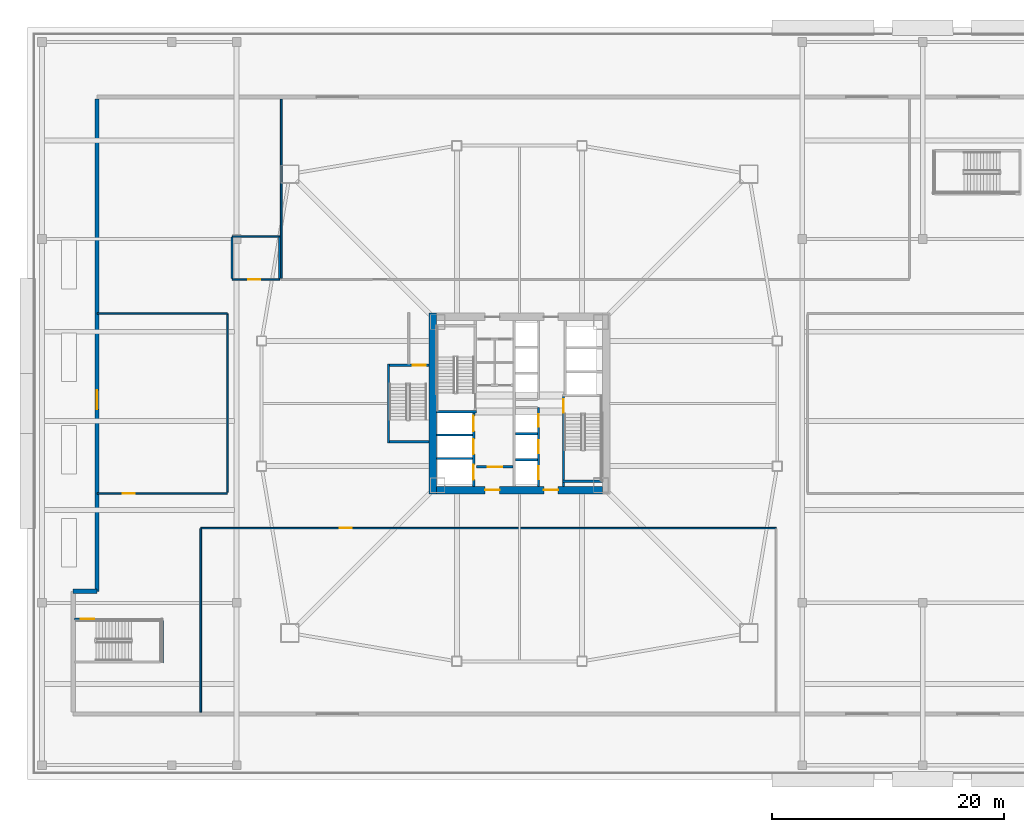
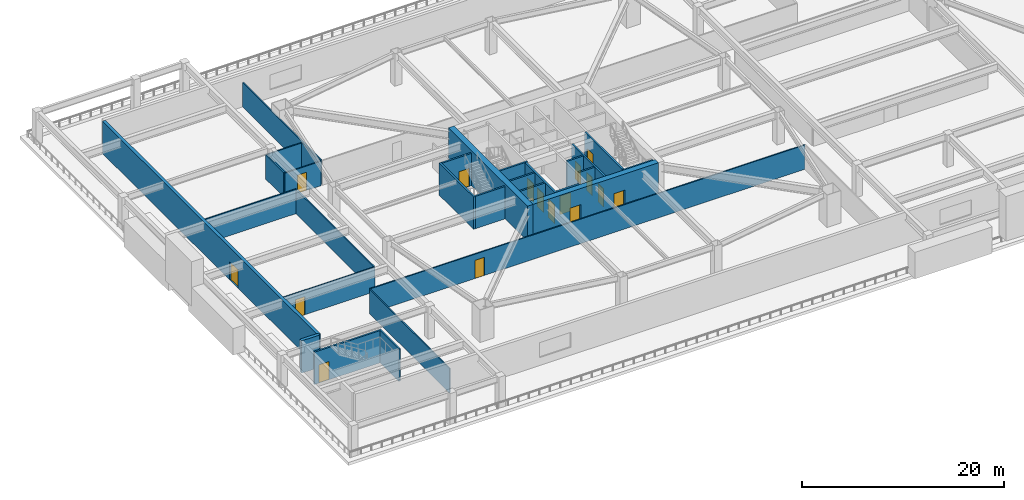
# One storey, part 5 of 20: 29 walls, 16 doors, 16 openings.
"""IFC4 building model written with IfcOpenShell, lengths in metres."""

from ifc_helpers import new_model, si_unit, direction, frame, frame_2d, origin, place, context, subcontext, project, spatial, rectangle, extrude, material, layer, layer_set, type_object, element, fill, save


model = new_model("IFC4")

# Units and contexts
model_context = context("Model", 3, precision=1e-05, world=origin(), true_north=direction((0.0, 1.0)))
body_context = subcontext(model_context, "Body", "Model", "MODEL_VIEW")
ifc_project = project(units=[si_unit("LENGTHUNIT", "METRE"), si_unit("AREAUNIT", "SQUARE_METRE"), si_unit("VOLUMEUNIT", "CUBIC_METRE"), si_unit("PLANEANGLEUNIT", "RADIAN"), si_unit("MASSUNIT", "GRAM", prefix="KILO")], contexts=[model_context])

# Site, building, storey
site_placement = place(None, origin())
site = spatial("IfcSite", under=ifc_project, at=site_placement, CompositionType="ELEMENT")
building_placement = place(site_placement, origin())
building = spatial("IfcBuilding", under=site, at=building_placement, Name="Tashvorn Skyway Center", CompositionType="ELEMENT")
storey_placement = place(building_placement, frame((0.0, 0.0, 15.60009765625)))
storey = spatial("IfcBuildingStorey", under=building, at=storey_placement, Name="L03", CompositionType="ELEMENT", Elevation=15.60009765625)

# Wall
ifc_material_1 = material(Name="Concrete C60/75", Category="concrete")
ifc_layer_1 = layer(ifc_material_1, 0.64990234375)
ifc_layer_set_1 = layer_set([ifc_layer_1], Name="Concrete C60/75")
wall_type_1 = type_object("IfcWallType", Name="WALL-CORE-650", PredefinedType="SHEAR", material=ifc_layer_set_1)
wall_1_placement = place(storey_placement, frame((34.52490234375, 24.199951171875, 0.0), z_axis=(0.0, 0.0, 1.0), x_axis=(0.0, 1.0, 0.0)))
element("IfcWall", 1, at=wall_1_placement, inside=storey, type_object=wall_type_1, Name="Tower 1 L03 West Core Shear Wall", PredefinedType="SHEAR", context=body_context, shape_type="SweptSolid", body=[
    extrude(rectangle(XDim=15.60009765625, YDim=0.64990234375, at=frame_2d((7.800048828125, 0.0))), origin(), (0.0, 0.0, 1.0), 4.199951171875),
])

# Wall, openings, doors
wall_2_placement = place(storey_placement, frame((49.14990234375, 24.52490234375, 0.0), z_axis=(0.0, 0.0, 1.0), x_axis=(-1.0, 0.0, 0.0)))
wall_2 = element("IfcWall", 2, at=wall_2_placement, inside=storey, type_object=wall_type_1, Name="Tower 1 L03 South Core Shear Wall", PredefinedType="SHEAR", context=body_context, shape_type="SweptSolid", body=[
    extrude(rectangle(XDim=14.2998046875, YDim=0.64990234375, at=frame_2d((7.14990234375, 0.0))), origin(), (0.0, 0.0, 1.0), 4.199951171875),
])
opening_1_placement = place(wall_2_placement, frame((8.85009765625, 0.0, 0.0)))
opening_1 = element("IfcOpeningElement", 3, at=opening_1_placement, cuts=wall_2, Name="Opening D-FFL-1250", PredefinedType="OPENING", context=body_context, shape_type="SweptSolid", body=[
    extrude(rectangle(XDim=1.25, YDim=2.25, at=frame_2d((0.625, 1.125))), frame((0.0, 0.3349609375, 0.0), z_axis=(0.0, -1.0, 0.0), x_axis=(1.0, 0.0, 0.0)), (0.0, 0.0, 1.0), 0.669921875),
])
opening_2_placement = place(wall_2_placement, frame((3.800048828125, 0.0, 0.0)))
opening_2 = element("IfcOpeningElement", 4, at=opening_2_placement, cuts=wall_2, Name="Opening D-FFL-1250", PredefinedType="OPENING", context=body_context, shape_type="SweptSolid", body=[
    extrude(rectangle(XDim=1.25, YDim=2.25, at=frame_2d((0.625, 1.125))), frame((0.0, 0.3349609375, 0.0), z_axis=(0.0, -1.0, 0.0), x_axis=(1.0, 0.0, 0.0)), (0.0, 0.0, 1.0), 0.669921875),
])
ifc_material_2 = material(Name="Hollow galvanized steel fire door assembly", Category="steel")
door_type_1 = type_object("IfcDoorType", Name="DOOR-FFL-1250", OperationType="NOTDEFINED", PredefinedType="DOOR", material=ifc_material_2)
door_1_placement = place(opening_1_placement, origin())
door_1 = element("IfcDoor", 5, at=door_1_placement, inside=storey, type_object=door_type_1, Name="Tower 1 L03 Core South Firefighting Exit Door", OperationType="SINGLE_SWING_LEFT", OverallHeight=2.25, OverallWidth=1.25, PredefinedType="DOOR", context=body_context, shape_type="SweptSolid", body=[
    extrude(rectangle(XDim=1.25, YDim=2.25, at=frame_2d((0.625, 1.125))), frame((0.0, 0.02490234375, 0.0), z_axis=(0.0, -1.0, 0.0), x_axis=(1.0, 0.0, 0.0)), (0.0, 0.0, 1.0), 0.050048828125),
])
fill(opening_1, door_1)
door_2_placement = place(opening_2_placement, origin())
door_2 = element("IfcDoor", 6, at=door_2_placement, inside=storey, type_object=door_type_1, Name="Tower 1 L03 Core South Lift Lobby Door", OperationType="SINGLE_SWING_RIGHT", OverallHeight=2.25, OverallWidth=1.25, PredefinedType="DOOR", context=body_context, shape_type="SweptSolid", body=[
    extrude(rectangle(XDim=1.25, YDim=2.25, at=frame_2d((0.625, 1.125))), frame((0.0, 0.02490234375, 0.0), z_axis=(0.0, -1.0, 0.0), x_axis=(1.0, 0.0, 0.0)), (0.0, 0.0, 1.0), 0.050048828125),
])
fill(opening_2, door_2)

# Wall
ifc_material_3 = material(Name="Precast concrete C40/50", Category="concrete")
ifc_layer_2 = layer(ifc_material_3, 0.35009765625)
ifc_layer_set_2 = layer_set([ifc_layer_2], Name="Precast concrete C40/50")
wall_type_2 = type_object("IfcWallType", Name="WALL-EXT-350", PredefinedType="SOLIDWALL", material=ifc_layer_set_2)
wall_3_placement = place(storey_placement, frame((3.5, 15.800048828125, 0.0), z_axis=(0.0, 0.0, 1.0), x_axis=(1.0, 0.0, 0.0)))
element("IfcWall", 7, at=wall_3_placement, inside=storey, type_object=wall_type_2, Name="L03 Stair Pavilion North Step Wall", PredefinedType="SOLIDWALL", context=body_context, shape_type="SweptSolid", body=[
    extrude(rectangle(XDim=2.050048828125, YDim=0.35009765625, at=frame_2d((1.02490234375, 0.0))), origin(), (0.0, 0.0, 1.0), 3.89990234375),
])

# Wall, opening, door
wall_4_placement = place(storey_placement, frame((5.550048828125, 15.800048828125, 0.0), z_axis=(0.0, 0.0, 1.0), x_axis=(0.0, 1.0, 0.0)))
wall_4 = element("IfcWall", 8, at=wall_4_placement, inside=storey, type_object=wall_type_2, Name="L03 Stepped West Postmodern Facade Wall", PredefinedType="SOLIDWALL", context=body_context, shape_type="SweptSolid", body=[
    extrude(rectangle(XDim=42.474853515625, YDim=0.35009765625, at=frame_2d((21.2373046875, 0.0))), origin(), (0.0, 0.0, 1.0), 3.89990234375),
])
opening_3_placement = place(wall_4_placement, frame((15.699951171875, 0.0, 0.0)))
opening_3 = element("IfcOpeningElement", 9, at=opening_3_placement, cuts=wall_4, Name="Opening D-TER-1650", PredefinedType="OPENING", context=body_context, shape_type="SweptSolid", body=[
    extrude(rectangle(XDim=1.64990234375, YDim=2.199951171875, at=frame_2d((0.824951171875, 1.10009765625))), frame((0.0, 0.18505859375, 0.0), z_axis=(0.0, -1.0, 0.0), x_axis=(1.0, 0.0, 0.0)), (0.0, 0.0, 1.0), 0.3701171875),
])
ifc_material_4 = material(Name="Thermally broken bronze-anodized aluminium 6063-T6", Category="aluminium")
door_type_2 = type_object("IfcDoorType", Name="DOOR-TERR-1650", OperationType="DOUBLE_DOOR_SINGLE_SWING", PredefinedType="DOOR", material=ifc_material_4)
door_3_placement = place(opening_3_placement, origin())
door_3 = element("IfcDoor", 10, at=door_3_placement, inside=storey, type_object=door_type_2, Name="L03 Stepped Colonnade Terrace Access Door", OperationType="DOUBLE_DOOR_SINGLE_SWING", OverallHeight=2.199951171875, OverallWidth=1.64990234375, PredefinedType="DOOR", context=body_context, shape_type="SweptSolid", body=[
    extrude(rectangle(XDim=1.64990234375, YDim=2.199951171875, at=frame_2d((0.824951171875, 1.10009765625))), frame((0.0, 0.02490234375, 0.0), z_axis=(0.0, -1.0, 0.0), x_axis=(1.0, 0.0, 0.0)), (0.0, 0.0, 1.0), 0.050048828125),
])
fill(opening_3, door_3)

ifc_material_5 = material(Name="Concrete C40/50", Category="concrete")
ifc_layer_3 = layer(ifc_material_5, 0.219970703125)
ifc_layer_set_3 = layer_set([ifc_layer_3], Name="Concrete C40/50")
wall_type_3 = type_object("IfcWallType", Name="WALL-FFL-220", PredefinedType="SOLIDWALL", material=ifc_layer_set_3)
wall_5_placement = place(storey_placement, frame((38.300048828125, 26.5400390625, 0.0), z_axis=(0.0, 0.0, 1.0), x_axis=(1.0, 0.0, 0.0)))
wall_5 = element("IfcWall", 11, at=wall_5_placement, inside=storey, type_object=wall_type_3, Name="Tower 1 L03 Firefighting Lobby South Wall", PredefinedType="SOLIDWALL", context=body_context, shape_type="SweptSolid", body=[
    extrude(rectangle(XDim=3.14990234375, YDim=0.219970703125, at=frame_2d((1.574951171875, 0.0))), origin(), (0.0, 0.0, 1.0), 2.94287109375),
])
opening_4_placement = place(wall_5_placement, frame((0.949951171875, 0.0, 0.0)))
opening_4 = element("IfcOpeningElement", 12, at=opening_4_placement, cuts=wall_5, Name="Opening D-FFL-1250", PredefinedType="OPENING", context=body_context, shape_type="SweptSolid", body=[
    extrude(rectangle(XDim=1.25, YDim=2.25, at=frame_2d((0.625, 1.125))), frame((0.0, 0.119873046875, 0.0), z_axis=(0.0, -1.0, 0.0), x_axis=(1.0, 0.0, 0.0)), (0.0, 0.0, 1.0), 0.239990234375),
])
door_4_placement = place(opening_4_placement, origin())
door_4 = element("IfcDoor", 13, at=door_4_placement, inside=storey, type_object=door_type_1, Name="Tower 1 L03 Firefighting Lobby Egress Door", OperationType="SINGLE_SWING_LEFT", OverallHeight=2.25, OverallWidth=1.25, PredefinedType="DOOR", context=body_context, shape_type="SweptSolid", body=[
    extrude(rectangle(XDim=1.25, YDim=2.25, at=frame_2d((0.625, 1.125))), frame((0.0, 0.02490234375, 0.0), z_axis=(0.0, -1.0, 0.0), x_axis=(1.0, 0.0, 0.0)), (0.0, 0.0, 1.0), 0.050048828125),
])
fill(opening_4, door_4)

ifc_material_6 = material(Name="Gypsum board on cold-formed steel stud framing", Category="steel")
ifc_layer_4 = layer(ifc_material_6, 0.135009765625)
ifc_layer_set_4 = layer_set([ifc_layer_4], Name="Gypsum board on cold-formed steel stud framing")
wall_type_4 = type_object("IfcWallType", Name="WALL-PART-135", PredefinedType="PARTITIONING", material=ifc_layer_set_4)
wall_6_placement = place(storey_placement, frame((5.550048828125, 24.25, 0.0), z_axis=(0.0, 0.0, 1.0), x_axis=(1.0, 0.0, 0.0)))
wall_6 = element("IfcWall", 14, at=wall_6_placement, inside=storey, type_object=wall_type_4, Name="L03 West Suite South Wall", PredefinedType="PARTITIONING", context=body_context, shape_type="SweptSolid", body=[
    extrude(rectangle(XDim=11.25, YDim=0.135009765625, at=frame_2d((5.625, 0.0))), origin(), (0.0, 0.0, 1.0), 2.94287109375),
])
opening_5_placement = place(wall_6_placement, frame((2.199951171875, 0.0, 0.0)))
opening_5 = element("IfcOpeningElement", 15, at=opening_5_placement, cuts=wall_6, Name="Opening D-ACC-1050", PredefinedType="OPENING", context=body_context, shape_type="SweptSolid", body=[
    extrude(rectangle(XDim=1.050048828125, YDim=2.199951171875, at=frame_2d((0.52490234375, 1.10009765625))), frame((0.0, 0.077392578125, 0.0), z_axis=(0.0, -1.0, 0.0), x_axis=(1.0, 0.0, 0.0)), (0.0, 0.0, 1.0), 0.155029296875),
])
ifc_material_7 = material(Name="Solid-core architectural oak veneer door")
door_type_3 = type_object("IfcDoorType", Name="DOOR-ACC-1050", OperationType="NOTDEFINED", PredefinedType="DOOR", material=ifc_material_7)
door_5_placement = place(opening_5_placement, origin())
door_5 = element("IfcDoor", 16, at=door_5_placement, inside=storey, type_object=door_type_3, Name="L03 Innovation Workshop Studio Door", OperationType="SINGLE_SWING_LEFT", OverallHeight=2.199951171875, OverallWidth=1.050048828125, PredefinedType="DOOR", context=body_context, shape_type="SweptSolid", body=[
    extrude(rectangle(XDim=1.050048828125, YDim=2.199951171875, at=frame_2d((0.52490234375, 1.10009765625))), frame((0.0, 0.02490234375, 0.0), z_axis=(0.0, -1.0, 0.0), x_axis=(1.0, 0.0, 0.0)), (0.0, 0.0, 1.0), 0.050048828125),
])
fill(opening_5, door_5)

# Walls
wall_7_placement = place(storey_placement, frame((16.800048828125, 24.35009765625, 0.0), z_axis=(0.0, 0.0, 1.0), x_axis=(0.0, 1.0, 0.0)))
element("IfcWall", 17, at=wall_7_placement, inside=storey, type_object=wall_type_4, Name="L03 West Suite East Wall", PredefinedType="PARTITIONING", context=body_context, shape_type="SweptSolid", body=[
    extrude(rectangle(XDim=15.39990234375, YDim=0.135009765625, at=frame_2d((7.699951171875, 0.0))), origin(), (0.0, 0.0, 1.0), 2.94287109375),
])
wall_8_placement = place(storey_placement, frame((5.550048828125, 39.780029296875, 0.0), z_axis=(0.0, 0.0, 1.0), x_axis=(1.0, 0.0, 0.0)))
element("IfcWall", 18, at=wall_8_placement, inside=storey, type_object=wall_type_4, Name="L03 West Suite North Wall", PredefinedType="PARTITIONING", context=body_context, shape_type="SweptSolid", body=[
    extrude(rectangle(XDim=11.25, YDim=0.135009765625, at=frame_2d((5.625, 0.0))), origin(), (0.0, 0.0, 1.0), 2.94287109375),
])
wall_9_placement = place(storey_placement, frame((21.449951171875, 42.800048828125, 0.0), z_axis=(0.0, 0.0, 1.0), x_axis=(0.0, 1.0, 0.0)))
element("IfcWall", 19, at=wall_9_placement, inside=storey, type_object=wall_type_4, Name="L03 North Suite West Wall", PredefinedType="PARTITIONING", context=body_context, shape_type="SweptSolid", body=[
    extrude(rectangle(XDim=15.469970703125, YDim=0.135009765625, at=frame_2d((7.73486328125, 0.0))), origin(), (0.0, 0.0, 1.0), 2.94287109375),
])

# Wall, opening, door
wall_10_placement = place(storey_placement, frame((14.5, 21.25, 0.0), z_axis=(0.0, 0.0, 1.0), x_axis=(1.0, 0.0, 0.0)))
wall_10 = element("IfcWall", 20, at=wall_10_placement, inside=storey, type_object=wall_type_4, Name="L03 South Suite Wall", PredefinedType="PARTITIONING", context=body_context, shape_type="SweptSolid", body=[
    extrude(rectangle(XDim=49.64990234375, YDim=0.135009765625, at=frame_2d((24.824951171875, 0.0))), origin(), (0.0, 0.0, 1.0), 2.94287109375),
])
opening_6_placement = place(wall_10_placement, frame((12.0, 0.0, 0.0)))
opening_6 = element("IfcOpeningElement", 21, at=opening_6_placement, cuts=wall_10, Name="Opening D-ACC-1050", PredefinedType="OPENING", context=body_context, shape_type="SweptSolid", body=[
    extrude(rectangle(XDim=1.050048828125, YDim=2.199951171875, at=frame_2d((0.52490234375, 1.10009765625))), frame((0.0, 0.077392578125, 0.0), z_axis=(0.0, -1.0, 0.0), x_axis=(1.0, 0.0, 0.0)), (0.0, 0.0, 1.0), 0.155029296875),
])
door_6_placement = place(opening_6_placement, origin())
door_6 = element("IfcDoor", 22, at=door_6_placement, inside=storey, type_object=door_type_3, Name="L03 Transit Operations Suite Door", OperationType="SINGLE_SWING_LEFT", OverallHeight=2.199951171875, OverallWidth=1.050048828125, PredefinedType="DOOR", context=body_context, shape_type="SweptSolid", body=[
    extrude(rectangle(XDim=1.050048828125, YDim=2.199951171875, at=frame_2d((0.52490234375, 1.10009765625))), frame((0.0, 0.02490234375, 0.0), z_axis=(0.0, -1.0, 0.0), x_axis=(1.0, 0.0, 0.0)), (0.0, 0.0, 1.0), 0.050048828125),
])
fill(opening_6, door_6)

# Wall
wall_11_placement = place(storey_placement, frame((14.5, 5.3798828125, 0.0), z_axis=(0.0, 0.0, 1.0), x_axis=(0.0, 1.0, 0.0)))
element("IfcWall", 23, at=wall_11_placement, inside=storey, type_object=wall_type_4, Name="L03 South Suite West Wall", PredefinedType="PARTITIONING", context=body_context, shape_type="SweptSolid", body=[
    extrude(rectangle(XDim=15.820068359375, YDim=0.135009765625, at=frame_2d((7.91015625, 0.0))), origin(), (0.0, 0.0, 1.0), 2.94287109375),
])

# Wall, opening, door
wall_12_placement = place(storey_placement, frame((17.199951171875, 42.719970703125, 0.0), z_axis=(0.0, 0.0, 1.0), x_axis=(1.0, 0.0, 0.0)))
wall_12 = element("IfcWall", 24, at=wall_12_placement, inside=storey, type_object=wall_type_4, Name="L03 Restroom South Wall", PredefinedType="PARTITIONING", context=body_context, shape_type="SweptSolid", body=[
    extrude(rectangle(XDim=4.10009765625, YDim=0.135009765625, at=frame_2d((2.050048828125, 0.0))), origin(), (0.0, 0.0, 1.0), 2.94287109375),
])
opening_7_placement = place(wall_12_placement, frame((1.39990234375, 0.0, 0.0)))
opening_7 = element("IfcOpeningElement", 25, at=opening_7_placement, cuts=wall_12, Name="Opening D-ACC-1050", PredefinedType="OPENING", context=body_context, shape_type="SweptSolid", body=[
    extrude(rectangle(XDim=1.050048828125, YDim=2.199951171875, at=frame_2d((0.52490234375, 1.10009765625))), frame((0.0, 0.077392578125, 0.0), z_axis=(0.0, -1.0, 0.0), x_axis=(1.0, 0.0, 0.0)), (0.0, 0.0, 1.0), 0.155029296875),
])
door_7_placement = place(opening_7_placement, origin())
door_7 = element("IfcDoor", 26, at=door_7_placement, inside=storey, type_object=door_type_3, Name="L03 Accessible Restroom Door", OperationType="SINGLE_SWING_LEFT", OverallHeight=2.199951171875, OverallWidth=1.050048828125, PredefinedType="DOOR", context=body_context, shape_type="SweptSolid", body=[
    extrude(rectangle(XDim=1.050048828125, YDim=2.199951171875, at=frame_2d((0.52490234375, 1.10009765625))), frame((0.0, 0.02490234375, 0.0), z_axis=(0.0, -1.0, 0.0), x_axis=(1.0, 0.0, 0.0)), (0.0, 0.0, 1.0), 0.050048828125),
])
fill(opening_7, door_7)

# Walls
wall_13_placement = place(storey_placement, frame((17.199951171875, 46.39990234375, 0.0), z_axis=(0.0, 0.0, 1.0), x_axis=(1.0, 0.0, 0.0)))
element("IfcWall", 27, at=wall_13_placement, inside=storey, type_object=wall_type_4, Name="L03 Restroom North Wall", PredefinedType="PARTITIONING", context=body_context, shape_type="SweptSolid", body=[
    extrude(rectangle(XDim=4.10009765625, YDim=0.135009765625, at=frame_2d((2.050048828125, 0.0))), origin(), (0.0, 0.0, 1.0), 2.94287109375),
])
for number, where, z_axis, x_axis, name in (
    (28, (17.199951171875, 42.800048828125, 0.0), (0.0, 0.0, 1.0), (0.0, 1.0, 0.0), "L03 Restroom West Wall"),
    (29, (21.300048828125, 42.800048828125, 0.0), (0.0, 0.0, 1.0), (0.0, 1.0, 0.0), "L03 Restroom East Wall"),
):
    element("IfcWall", number, at=place(storey_placement, frame(where, z_axis=z_axis, x_axis=x_axis)), inside=storey, type_object=wall_type_4, Name=name, PredefinedType="PARTITIONING", context=body_context, shape_type="SweptSolid", body=[
        extrude(rectangle(XDim=3.550048828125, YDim=0.135009765625, at=frame_2d((1.77490234375, 0.0))), origin(), (0.0, 0.0, 1.0), 2.94287109375),
    ])
ifc_layer_5 = layer(ifc_material_5, 0.199951171875)
ifc_layer_set_5 = layer_set([ifc_layer_5], Name="Concrete C40/50")
wall_type_5 = type_object("IfcWallType", Name="WALL-SHAFT-200", PredefinedType="SOLIDWALL", material=ifc_layer_set_5)
for number, where, z_axis, x_axis, name in (
    (30, (34.85009765625, 27.25, 0.0), (0.0, 0.0, 1.0), (1.0, 0.0, 0.0), "Tower 1 L03 FSAE Shaft Divider"),
    (31, (34.85009765625, 29.280029296875, 0.0), (0.0, 0.0, 1.0), (1.0, 0.0, 0.0), "Tower 1 L03 FSAE Shaft Divider"),
):
    element("IfcWall", number, at=place(storey_placement, frame(where, z_axis=z_axis, x_axis=x_axis)), inside=storey, type_object=wall_type_5, Name=name, PredefinedType="SOLIDWALL", context=body_context, shape_type="SweptSolid", body=[
        extrude(rectangle(XDim=3.099853515625, YDim=0.199951171875, at=frame_2d((1.5498046875, 0.0))), origin(), (0.0, 0.0, 1.0), 3.89990234375),
    ])

# Wall, openings, doors
wall_14_placement = place(storey_placement, frame((43.64990234375, 24.85009765625, 0.0), z_axis=(0.0, 0.0, 1.0), x_axis=(0.0, 1.0, 0.0)))
wall_14 = element("IfcWall", 32, at=wall_14_placement, inside=storey, type_object=wall_type_5, Name="Tower 1 L03 Low-Rise Core Wall", PredefinedType="SOLIDWALL", context=body_context, shape_type="SweptSolid", body=[
    extrude(rectangle(XDim=6.7998046875, YDim=0.199951171875, at=frame_2d((3.39990234375, 0.0))), origin(), (0.0, 0.0, 1.0), 3.89990234375),
])
opening_8_placement = place(wall_14_placement, frame((0.625, 0.0, 0.0)))
opening_8 = element("IfcOpeningElement", 33, at=opening_8_placement, cuts=wall_14, Name="Opening LD-LR-T1-1-L03", PredefinedType="OPENING", context=body_context, shape_type="SweptSolid", body=[
    extrude(rectangle(XDim=1.10009765625, YDim=2.199951171875, at=frame_2d((0.550048828125, 1.10009765625))), frame((0.0, 0.10986328125, 0.0), z_axis=(0.0, -1.0, 0.0), x_axis=(1.0, 0.0, 0.0)), (0.0, 0.0, 1.0), 0.219970703125),
])
opening_9_placement = place(wall_14_placement, frame((2.875, 0.0, 0.0)))
opening_9 = element("IfcOpeningElement", 34, at=opening_9_placement, cuts=wall_14, Name="Opening LD-LR-T1-2-L03", PredefinedType="OPENING", context=body_context, shape_type="SweptSolid", body=[
    extrude(rectangle(XDim=1.10009765625, YDim=2.199951171875, at=frame_2d((0.550048828125, 1.10009765625))), frame((0.0, 0.10986328125, 0.0), z_axis=(0.0, -1.0, 0.0), x_axis=(1.0, 0.0, 0.0)), (0.0, 0.0, 1.0), 0.219970703125),
])
opening_10_placement = place(wall_14_placement, frame((5.125, 0.0, 0.0)))
opening_10 = element("IfcOpeningElement", 35, at=opening_10_placement, cuts=wall_14, Name="Opening LD-LR-T1-3-L03", PredefinedType="OPENING", context=body_context, shape_type="SweptSolid", body=[
    extrude(rectangle(XDim=1.10009765625, YDim=2.199951171875, at=frame_2d((0.550048828125, 1.10009765625))), frame((0.0, 0.10986328125, 0.0), z_axis=(0.0, -1.0, 0.0), x_axis=(1.0, 0.0, 0.0)), (0.0, 0.0, 1.0), 0.219970703125),
])
ifc_material_8 = material(Name="Stainless steel landing door", Category="steel")
door_type_4 = type_object("IfcDoorType", Name="DOOR-LIFT-1100", OperationType="SLIDING_TO_LEFT", PredefinedType="DOOR", material=ifc_material_8)
door_8_placement = place(opening_8_placement, origin())
door_8 = element("IfcDoor", 36, at=door_8_placement, inside=storey, type_object=door_type_4, Name="Lift LR-T1-1 L03 Landing Door", OperationType="SLIDING_TO_LEFT", OverallHeight=2.199951171875, OverallWidth=1.10009765625, PredefinedType="DOOR", context=body_context, shape_type="SweptSolid", body=[
    extrude(rectangle(XDim=1.10009765625, YDim=2.199951171875, at=frame_2d((0.550048828125, 1.10009765625))), frame((0.0, 0.02490234375, 0.0), z_axis=(0.0, -1.0, 0.0), x_axis=(1.0, 0.0, 0.0)), (0.0, 0.0, 1.0), 0.050048828125),
])
fill(opening_8, door_8)
door_9_placement = place(opening_9_placement, origin())
door_9 = element("IfcDoor", 37, at=door_9_placement, inside=storey, type_object=door_type_4, Name="Lift LR-T1-2 L03 Landing Door", OperationType="SLIDING_TO_LEFT", OverallHeight=2.199951171875, OverallWidth=1.10009765625, PredefinedType="DOOR", context=body_context, shape_type="SweptSolid", body=[
    extrude(rectangle(XDim=1.10009765625, YDim=2.199951171875, at=frame_2d((0.550048828125, 1.10009765625))), frame((0.0, 0.02490234375, 0.0), z_axis=(0.0, -1.0, 0.0), x_axis=(1.0, 0.0, 0.0)), (0.0, 0.0, 1.0), 0.050048828125),
])
fill(opening_9, door_9)
door_10_placement = place(opening_10_placement, origin())
door_10 = element("IfcDoor", 38, at=door_10_placement, inside=storey, type_object=door_type_4, Name="Lift LR-T1-3 L03 Landing Door", OperationType="SLIDING_TO_LEFT", OverallHeight=2.199951171875, OverallWidth=1.10009765625, PredefinedType="DOOR", context=body_context, shape_type="SweptSolid", body=[
    extrude(rectangle(XDim=1.10009765625, YDim=2.199951171875, at=frame_2d((0.550048828125, 1.10009765625))), frame((0.0, 0.02490234375, 0.0), z_axis=(0.0, -1.0, 0.0), x_axis=(1.0, 0.0, 0.0)), (0.0, 0.0, 1.0), 0.050048828125),
])
fill(opening_10, door_10)

# Walls
for number, where, z_axis, x_axis, name in (
    (39, (41.669921875, 27.14990234375, 0.0), (0.0, 0.0, 1.0), (1.0, 0.0, 0.0), "Tower 1 L03 Low-Rise Shaft Divider"),
    (40, (41.669921875, 29.39990234375, 0.0), (0.0, 0.0, 1.0), (1.0, 0.0, 0.0), "Tower 1 L03 Low-Rise Shaft Divider"),
):
    element("IfcWall", number, at=place(storey_placement, frame(where, z_axis=z_axis, x_axis=x_axis)), inside=storey, type_object=wall_type_5, Name=name, PredefinedType="SOLIDWALL", context=body_context, shape_type="SweptSolid", body=[
        extrude(rectangle(XDim=1.880126953125, YDim=0.199951171875, at=frame_2d((0.93994140625, 0.0))), origin(), (0.0, 0.0, 1.0), 3.89990234375),
    ])
ifc_layer_6 = layer(ifc_material_5, 0.199951171875)
ifc_layer_set_6 = layer_set([ifc_layer_6], Name="Concrete C40/50")
wall_type_6 = type_object("IfcWallType", Name="WALL-STSHF-200", PredefinedType="SHEAR", material=ifc_layer_set_6)
wall_15_placement = place(storey_placement, frame((34.85009765625, 31.300048828125, 0.0), z_axis=(0.0, 0.0, 1.0), x_axis=(1.0, 0.0, 0.0)))
element("IfcWall", 41, at=wall_15_placement, inside=storey, type_object=wall_type_6, Name="Tower 1 L03 Stair 1 South Wall", PredefinedType="SHEAR", context=body_context, shape_type="SweptSolid", body=[
    extrude(rectangle(XDim=3.449951171875, YDim=0.199951171875, at=frame_2d((1.72509765625, 0.0))), origin(), (0.0, 0.0, 1.0), 3.89990234375),
])

# Wall, opening, door
wall_16_placement = place(storey_placement, frame((45.800048828125, 32.800048828125, 0.0), z_axis=(0.0, 0.0, 1.0), x_axis=(0.0, -1.0, 0.0)))
wall_16 = element("IfcWall", 42, at=wall_16_placement, inside=storey, type_object=wall_type_6, Name="Tower 1 L03 Stair 2 Enclosure Wall", PredefinedType="SHEAR", context=body_context, shape_type="SweptSolid", body=[
    extrude(rectangle(XDim=7.949951171875, YDim=0.199951171875, at=frame_2d((3.97509765625, 0.0))), origin(), (0.0, 0.0, 1.0), 3.89990234375),
])
opening_11_placement = place(wall_16_placement, frame((0.449951171875, 0.0, 0.0)))
opening_11 = element("IfcOpeningElement", 43, at=opening_11_placement, cuts=wall_16, Name="Opening D-ST-1150", PredefinedType="OPENING", context=body_context, shape_type="SweptSolid", body=[
    extrude(rectangle(XDim=1.14990234375, YDim=2.199951171875, at=frame_2d((0.574951171875, 1.10009765625))), frame((0.0, 0.10986328125, 0.0), z_axis=(0.0, -1.0, 0.0), x_axis=(1.0, 0.0, 0.0)), (0.0, 0.0, 1.0), 0.219970703125),
])
door_type_5 = type_object("IfcDoorType", Name="DOOR-STAIR-1150", OperationType="NOTDEFINED", PredefinedType="DOOR", material=ifc_material_2)
door_11_placement = place(opening_11_placement, origin())
door_11 = element("IfcDoor", 44, at=door_11_placement, inside=storey, type_object=door_type_5, Name="Tower 1 L03 Exit Stair 2 Door", OperationType="SINGLE_SWING_RIGHT", OverallHeight=2.199951171875, OverallWidth=1.14990234375, PredefinedType="DOOR", context=body_context, shape_type="SweptSolid", body=[
    extrude(rectangle(XDim=1.14990234375, YDim=2.199951171875, at=frame_2d((0.574951171875, 1.10009765625))), frame((0.0, 0.02490234375, 0.0), z_axis=(0.0, -1.0, 0.0), x_axis=(1.0, 0.0, 0.0)), (0.0, 0.0, 1.0), 0.050048828125),
])
fill(opening_11, door_11)

# Wall
wall_17_placement = place(storey_placement, frame((45.699951171875, 25.300048828125, 0.0), z_axis=(0.0, 0.0, 1.0), x_axis=(1.0, 0.0, 0.0)))
element("IfcWall", 45, at=wall_17_placement, inside=storey, type_object=wall_type_6, Name="Tower 1 L03 Stair 2 South Wall", PredefinedType="SHEAR", context=body_context, shape_type="SweptSolid", body=[
    extrude(rectangle(XDim=3.449951171875, YDim=0.199951171875, at=frame_2d((1.72509765625, 0.0))), origin(), (0.0, 0.0, 1.0), 3.89990234375),
])

# Wall, openings, doors
wall_18_placement = place(storey_placement, frame((38.050048828125, 24.85009765625, 0.0), z_axis=(0.0, 0.0, 1.0), x_axis=(0.0, 1.0, 0.0)))
wall_18 = element("IfcWall", 46, at=wall_18_placement, inside=storey, type_object=wall_type_6, Name="Tower 1 L03 FSAE and Goods Shaft Front Wall", PredefinedType="SHEAR", context=body_context, shape_type="SweptSolid", body=[
    extrude(rectangle(XDim=6.349853515625, YDim=0.199951171875, at=frame_2d((3.1748046875, 0.0))), origin(), (0.0, 0.0, 1.0), 3.89990234375),
])
opening_12_placement = place(wall_18_placement, frame((4.77490234375, 0.0, 0.0)))
opening_12 = element("IfcOpeningElement", 47, at=opening_12_placement, cuts=wall_18, Name="Opening LD-FF-T1-1-L03", PredefinedType="OPENING", context=body_context, shape_type="SweptSolid", body=[
    extrude(rectangle(XDim=1.300048828125, YDim=2.25, at=frame_2d((0.64990234375, 1.125))), frame((0.0, 0.10986328125, 0.0), z_axis=(0.0, -1.0, 0.0), x_axis=(1.0, 0.0, 0.0)), (0.0, 0.0, 1.0), 0.219970703125),
])
opening_13_placement = place(wall_18_placement, frame((2.77490234375, 0.0, 0.0)))
opening_13 = element("IfcOpeningElement", 48, at=opening_13_placement, cuts=wall_18, Name="Opening LD-FF-T1-2-L03", PredefinedType="OPENING", context=body_context, shape_type="SweptSolid", body=[
    extrude(rectangle(XDim=1.300048828125, YDim=2.25, at=frame_2d((0.64990234375, 1.125))), frame((0.0, 0.10986328125, 0.0), z_axis=(0.0, -1.0, 0.0), x_axis=(1.0, 0.0, 0.0)), (0.0, 0.0, 1.0), 0.219970703125),
])
opening_14_placement = place(wall_18_placement, frame((0.574951171875, 0.0, 0.0)))
opening_14 = element("IfcOpeningElement", 49, at=opening_14_placement, cuts=wall_18, Name="Opening LD-GD-T1-1-L03", PredefinedType="OPENING", context=body_context, shape_type="SweptSolid", body=[
    extrude(rectangle(XDim=1.300048828125, YDim=2.25, at=frame_2d((0.64990234375, 1.125))), frame((0.0, 0.10986328125, 0.0), z_axis=(0.0, -1.0, 0.0), x_axis=(1.0, 0.0, 0.0)), (0.0, 0.0, 1.0), 0.219970703125),
])
ifc_material_9 = material(Name="Stainless steel heavy-duty landing door", Category="steel")
door_type_6 = type_object("IfcDoorType", Name="DOOR-LIFT-1300", OperationType="SLIDING_TO_LEFT", PredefinedType="DOOR", material=ifc_material_9)
door_12_placement = place(opening_12_placement, origin())
door_12 = element("IfcDoor", 50, at=door_12_placement, inside=storey, type_object=door_type_6, Name="Lift FF-T1-1 L03 Landing Door", OperationType="SLIDING_TO_LEFT", OverallHeight=2.25, OverallWidth=1.300048828125, PredefinedType="DOOR", context=body_context, shape_type="SweptSolid", body=[
    extrude(rectangle(XDim=1.300048828125, YDim=2.25, at=frame_2d((0.64990234375, 1.125))), frame((0.0, 0.02490234375, 0.0), z_axis=(0.0, -1.0, 0.0), x_axis=(1.0, 0.0, 0.0)), (0.0, 0.0, 1.0), 0.050048828125),
])
fill(opening_12, door_12)
door_13_placement = place(opening_13_placement, origin())
door_13 = element("IfcDoor", 51, at=door_13_placement, inside=storey, type_object=door_type_6, Name="Lift FF-T1-2 L03 Landing Door", OperationType="SLIDING_TO_LEFT", OverallHeight=2.25, OverallWidth=1.300048828125, PredefinedType="DOOR", context=body_context, shape_type="SweptSolid", body=[
    extrude(rectangle(XDim=1.300048828125, YDim=2.25, at=frame_2d((0.64990234375, 1.125))), frame((0.0, 0.02490234375, 0.0), z_axis=(0.0, -1.0, 0.0), x_axis=(1.0, 0.0, 0.0)), (0.0, 0.0, 1.0), 0.050048828125),
])
fill(opening_13, door_13)
door_14_placement = place(opening_14_placement, origin())
door_14 = element("IfcDoor", 52, at=door_14_placement, inside=storey, type_object=door_type_6, Name="Lift GD-T1-1 L03 Landing Door", OperationType="SLIDING_TO_LEFT", OverallHeight=2.25, OverallWidth=1.300048828125, PredefinedType="DOOR", context=body_context, shape_type="SweptSolid", body=[
    extrude(rectangle(XDim=1.300048828125, YDim=2.25, at=frame_2d((0.64990234375, 1.125))), frame((0.0, 0.02490234375, 0.0), z_axis=(0.0, -1.0, 0.0), x_axis=(1.0, 0.0, 0.0)), (0.0, 0.0, 1.0), 0.050048828125),
])
fill(opening_14, door_14)

# Wall
wall_19_placement = place(storey_placement, frame((30.699951171875, 28.60009765625, 0.0), z_axis=(0.0, 0.0, 1.0), x_axis=(0.0, 1.0, 0.0)))
element("IfcWall", 53, at=wall_19_placement, inside=storey, type_object=wall_type_6, Name="Tower 1 L03 Stair 3 Outer Wall", PredefinedType="SHEAR", context=body_context, shape_type="SweptSolid", body=[
    extrude(rectangle(XDim=6.7998046875, YDim=0.199951171875, at=frame_2d((3.39990234375, 0.0))), origin(), (0.0, 0.0, 1.0), 3.89990234375),
])

# Wall, opening, door
wall_20_placement = place(storey_placement, frame((34.199951171875, 35.300048828125, 0.0), z_axis=(0.0, 0.0, 1.0), x_axis=(-1.0, 0.0, 0.0)))
wall_20 = element("IfcWall", 54, at=wall_20_placement, inside=storey, type_object=wall_type_6, Name="Tower 1 L03 Stair 3 Enclosure Wall", PredefinedType="SHEAR", context=body_context, shape_type="SweptSolid", body=[
    extrude(rectangle(XDim=3.39990234375, YDim=0.199951171875, at=frame_2d((1.699951171875, 0.0))), origin(), (0.0, 0.0, 1.0), 3.89990234375),
])
opening_15_placement = place(wall_20_placement, frame((0.27490234375, 0.0, 0.0)))
opening_15 = element("IfcOpeningElement", 55, at=opening_15_placement, cuts=wall_20, Name="Opening D-ST-1150", PredefinedType="OPENING", context=body_context, shape_type="SweptSolid", body=[
    extrude(rectangle(XDim=1.14990234375, YDim=2.199951171875, at=frame_2d((0.574951171875, 1.10009765625))), frame((0.0, 0.10986328125, 0.0), z_axis=(0.0, -1.0, 0.0), x_axis=(1.0, 0.0, 0.0)), (0.0, 0.0, 1.0), 0.219970703125),
])
door_15_placement = place(opening_15_placement, origin())
door_15 = element("IfcDoor", 56, at=door_15_placement, inside=storey, type_object=door_type_5, Name="Tower 1 L03 Exit Stair 3 Door", OperationType="SINGLE_SWING_RIGHT", OverallHeight=2.199951171875, OverallWidth=1.14990234375, PredefinedType="DOOR", context=body_context, shape_type="SweptSolid", body=[
    extrude(rectangle(XDim=1.14990234375, YDim=2.199951171875, at=frame_2d((0.574951171875, 1.10009765625))), frame((0.0, 0.02490234375, 0.0), z_axis=(0.0, -1.0, 0.0), x_axis=(1.0, 0.0, 0.0)), (0.0, 0.0, 1.0), 0.050048828125),
])
fill(opening_15, door_15)

# Wall
wall_21_placement = place(storey_placement, frame((30.800048828125, 28.699951171875, 0.0), z_axis=(0.0, 0.0, 1.0), x_axis=(1.0, 0.0, 0.0)))
element("IfcWall", 57, at=wall_21_placement, inside=storey, type_object=wall_type_6, Name="Tower 1 L03 Stair 3 South Wall", PredefinedType="SHEAR", context=body_context, shape_type="SweptSolid", body=[
    extrude(rectangle(XDim=3.39990234375, YDim=0.199951171875, at=frame_2d((1.699951171875, 0.0))), origin(), (0.0, 0.0, 1.0), 3.89990234375),
])

# Wall, opening, door
wall_22_placement = place(storey_placement, frame((11.300048828125, 13.39990234375, 0.0), z_axis=(0.0, 0.0, 1.0), x_axis=(-1.0, 0.0, 0.0)))
wall_22 = element("IfcWall", 58, at=wall_22_placement, inside=storey, type_object=wall_type_6, Name="L03 Podium Stair 1 North Wall", PredefinedType="SHEAR", context=body_context, shape_type="SweptSolid", body=[
    extrude(rectangle(XDim=7.699951171875, YDim=0.199951171875, at=frame_2d((3.85009765625, 0.0))), origin(), (0.0, 0.0, 1.0), 3.89990234375),
])
opening_16_placement = place(wall_22_placement, frame((6.0, 0.0, 0.0)))
opening_16 = element("IfcOpeningElement", 59, at=opening_16_placement, cuts=wall_22, Name="Opening D-ST-1150", PredefinedType="OPENING", context=body_context, shape_type="SweptSolid", body=[
    extrude(rectangle(XDim=1.14990234375, YDim=2.199951171875, at=frame_2d((0.574951171875, 1.10009765625))), frame((0.0, 0.10986328125, 0.0), z_axis=(0.0, -1.0, 0.0), x_axis=(1.0, 0.0, 0.0)), (0.0, 0.0, 1.0), 0.219970703125),
])
door_16_placement = place(opening_16_placement, origin())
door_16 = element("IfcDoor", 60, at=door_16_placement, inside=storey, type_object=door_type_5, Name="L03 Podium Stair 1 Door", OperationType="SINGLE_SWING_LEFT", OverallHeight=2.199951171875, OverallWidth=1.14990234375, PredefinedType="DOOR", context=body_context, shape_type="SweptSolid", body=[
    extrude(rectangle(XDim=1.14990234375, YDim=2.199951171875, at=frame_2d((0.574951171875, 1.10009765625))), frame((0.0, 0.02490234375, 0.0), z_axis=(0.0, -1.0, 0.0), x_axis=(1.0, 0.0, 0.0)), (0.0, 0.0, 1.0), 0.050048828125),
])
fill(opening_16, door_16)

# Wall
wall_23_placement = place(storey_placement, frame((11.199951171875, 9.60009765625, 0.0), z_axis=(0.0, 0.0, 1.0), x_axis=(0.0, 1.0, 0.0)))
element("IfcWall", 61, at=wall_23_placement, inside=storey, type_object=wall_type_6, Name="L03 Podium Stair 1 East Wall", PredefinedType="SHEAR", context=body_context, shape_type="SweptSolid", body=[
    extrude(rectangle(XDim=3.89990234375, YDim=0.199951171875, at=frame_2d((1.949951171875, 0.0))), origin(), (0.0, 0.0, 1.0), 3.89990234375),
])

save(model, "model.ifc")
